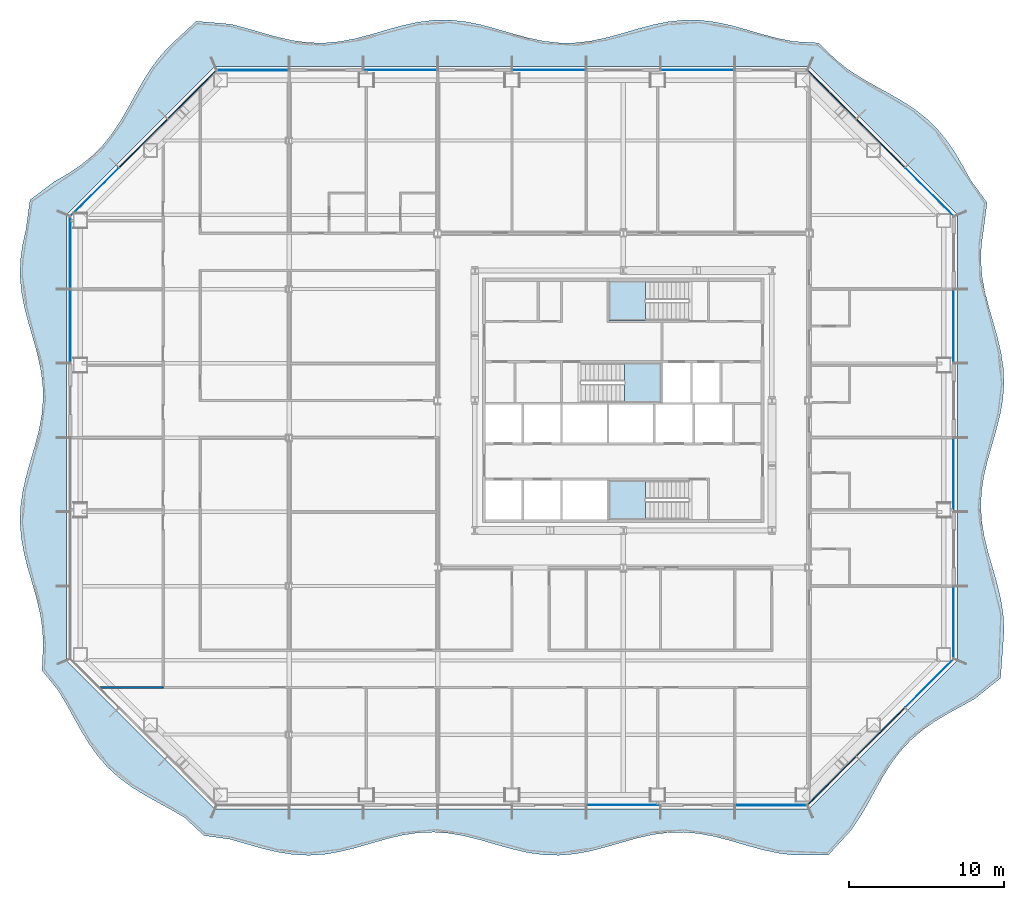
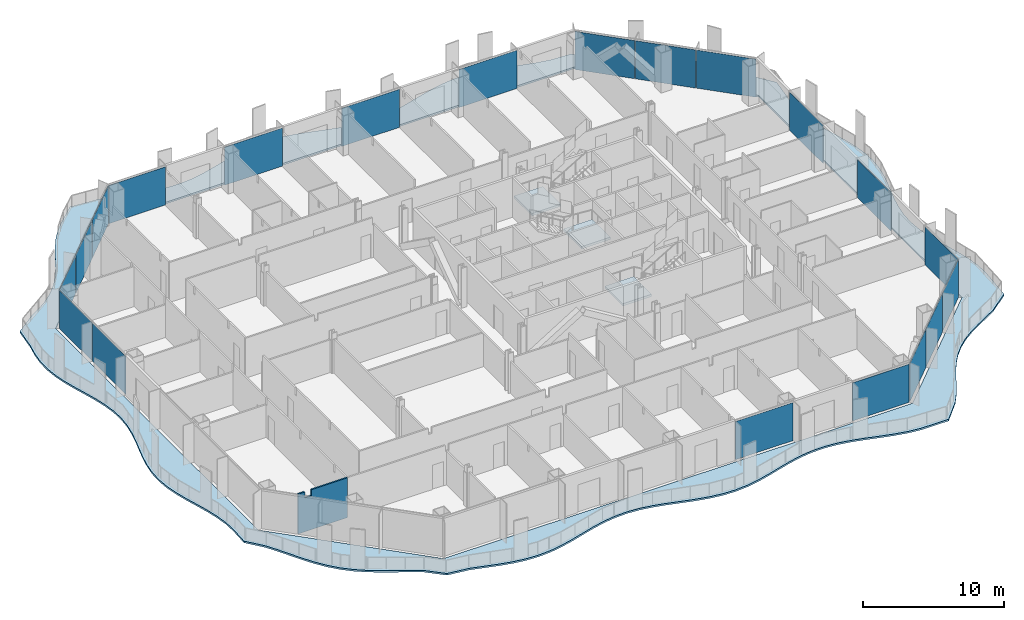
# One storey, part 5 of 21: 20 plates, 4 slabs, 1 wall, 10 elements without a shape of their own.
"""IFC4 building model written with IfcOpenShell, lengths in metres."""

import ifcopenshell
import ifcopenshell.guid

model = None  # the IFC model being written
_history = None  # IfcOwnerHistory: only IFC2X3 demands one
_inside = {}  # id of a spatial element -> (the spatial element, [elements in it])
_under = {}  # id of a project, library or spatial element -> (it, [spatial elements below it])
_declared = {}  # id of a project -> (the project, [libraries it declares])
_typed = {}  # id of a type object -> (the type object, [elements of that type])
_made_of = {}  # id of a material, layer set ... -> (it, [elements and type objects made of it])


def new_model(schema):
    """Start an empty IFC model of exactly this schema.

    Asked for "IFC4X3", IfcOpenShell would pick the latest addendum, in which some entities
    have other attributes; the version numbers below select the first issue.
    IFC2X3 requires an IfcOwnerHistory on every rooted entity: one is made here for all.
    """
    global model, _history
    if schema == "IFC4X3":
        model = ifcopenshell.file(schema_version=(4, 3, 0, 0))
    else:
        model = ifcopenshell.file(schema=schema)
    _inside.clear()
    _under.clear()
    _declared.clear()
    _typed.clear()
    _made_of.clear()
    _history = None
    if model.schema == "IFC2X3":
        org = make("IfcOrganization", Name="unknown")
        user = make(
            "IfcPersonAndOrganization",
            ThePerson=make("IfcPerson", FamilyName="unknown"),
            TheOrganization=org,
        )
        app = make(
            "IfcApplication",
            ApplicationDeveloper=org,
            Version="unknown",
            ApplicationFullName="unknown",
            ApplicationIdentifier="unknown",
        )
        _history = make(
            "IfcOwnerHistory",
            OwningUser=user,
            OwningApplication=app,
            ChangeAction="ADDED",
            CreationDate=0,
        )
    return model


def make(cls, **values):
    """One entity of the class cls with the attributes given. An attribute that is None is left unset."""
    return model.create_entity(
        cls, **{name: value for name, value in values.items() if value is not None}
    )


def rooted(cls, **values):
    """An entity with a GlobalId (a new one), such as an element, a storey or a relation."""
    return make(cls, GlobalId=ifcopenshell.guid.new(), OwnerHistory=_history, **values)


def si_unit(unit_type, name, prefix=None):
    """IfcSIUnit, for example si_unit("LENGTHUNIT", "METRE", prefix="MILLI")."""
    return make("IfcSIUnit", UnitType=unit_type, Prefix=prefix, Name=name)


def assignment(units):
    """IfcUnitAssignment: the units of a project."""
    return None if units is None else make("IfcUnitAssignment", Units=units)


def point(xyz):
    """IfcCartesianPoint."""
    return None if xyz is None else make("IfcCartesianPoint", Coordinates=xyz)


def direction(xyz):
    """IfcDirection."""
    return None if xyz is None else make("IfcDirection", DirectionRatios=xyz)


def frame(location, z_axis=None, x_axis=None):
    """IfcAxis2Placement3D, a coordinate frame: its origin and axes. An axis left out is left unset."""
    return make(
        "IfcAxis2Placement3D",
        Location=point(location),
        Axis=direction(z_axis),
        RefDirection=direction(x_axis),
    )


def frame_2d(location, x_axis=None):
    """IfcAxis2Placement2D, a coordinate frame in the plane: its origin and x axis."""
    return make(
        "IfcAxis2Placement2D", Location=point(location), RefDirection=direction(x_axis)
    )


def origin():
    """The frame at (0, 0, 0) with its axes left unset."""
    return frame((0.0, 0.0, 0.0))


def origin_2d():
    """The frame at (0, 0) in the plane with its x axis left unset."""
    return frame_2d((0.0, 0.0))


def place(relative_to, where):
    """IfcLocalPlacement: puts the frame where relative to a parent placement (None: the world)."""
    return make(
        "IfcLocalPlacement", PlacementRelTo=relative_to, RelativePlacement=where
    )


def context(
    kind, dimensions, precision=None, world=None, true_north=None, identifier=None
):
    """IfcGeometricRepresentationContext, for example the 3D "Model" context."""
    return make(
        "IfcGeometricRepresentationContext",
        ContextIdentifier=identifier,
        ContextType=kind,
        CoordinateSpaceDimension=dimensions,
        Precision=precision,
        WorldCoordinateSystem=world,
        TrueNorth=true_north,
    )


def subcontext(parent, identifier, kind, view, scale=None):
    """IfcGeometricRepresentationSubContext, for example "Body" below "Model"."""
    return make(
        "IfcGeometricRepresentationSubContext",
        ContextIdentifier=identifier,
        ContextType=kind,
        ParentContext=parent,
        TargetScale=scale,
        TargetView=view,
    )


def project(units=None, contexts=None):
    """IfcProject with its units and contexts."""
    return rooted(
        "IfcProject",
        Name="project",
        RepresentationContexts=contexts,
        UnitsInContext=assignment(units),
    )


def spatial(cls, under=None, at=None, **own):
    """A site, building, storey or space (cls), placed at a placement, below another one or the project."""
    s = rooted(cls, ObjectPlacement=at, **own)
    if under is not None:
        _under.setdefault(under.id(), (under, []))[1].append(s)
    return s


def polyline(points):
    """IfcPolyline through the points."""
    return make("IfcPolyline", Points=[point(p) for p in points])


def profile(cls, at=None, kind="AREA", **sizes):
    """A parametric profile (cls). Its sizes go by their IFC names, for example OverallWidth=200.0."""
    return make(cls, ProfileType=kind, Position=at, **sizes)


def rectangle(**sizes):
    """IfcRectangleProfileDef."""
    return profile("IfcRectangleProfileDef", **sizes)


def outline(outer, holes=None, kind="AREA"):
    """IfcArbitraryClosedProfileDef: a profile drawn as a closed curve; with holes, ...WithVoids."""
    if holes is None:
        return make("IfcArbitraryClosedProfileDef", ProfileType=kind, OuterCurve=outer)
    return make(
        "IfcArbitraryProfileDefWithVoids",
        ProfileType=kind,
        OuterCurve=outer,
        InnerCurves=holes,
    )


def extrude(swept, where, along, depth):
    """IfcExtrudedAreaSolid: the profile swept, set in the frame where, extruded along a direction by depth."""
    return make(
        "IfcExtrudedAreaSolid",
        SweptArea=swept,
        Position=where,
        ExtrudedDirection=direction(along),
        Depth=depth,
    )


def shape(context_of_items, identifier, shape_type, items):
    """IfcShapeRepresentation: the items that make up one representation, for example the "Body"."""
    return make(
        "IfcShapeRepresentation",
        ContextOfItems=context_of_items,
        RepresentationIdentifier=identifier,
        RepresentationType=shape_type,
        Items=items,
    )


def material(Name=None, Category=None):
    """IfcMaterial."""
    return make("IfcMaterial", Name=Name, Category=Category)


def layer(
    of_material, thickness, ventilated=None, Name=None, Category=None, Priority=None
):
    """IfcMaterialLayer: one layer of a wall or slab, of a material (None: an air gap)."""
    return make(
        "IfcMaterialLayer",
        Material=of_material,
        LayerThickness=thickness,
        IsVentilated=ventilated,
        Name=Name,
        Category=Category,
        Priority=Priority,
    )


def layer_set(layers, Name=None):
    """IfcMaterialLayerSet."""
    return make("IfcMaterialLayerSet", MaterialLayers=layers, LayerSetName=Name)


def made_of(thing, what):
    """Note that an element or type object is made of a material, layer set ...; save() writes the relation."""
    if what is not None:
        _made_of.setdefault(what.id(), (what, []))[1].append(thing)
    return thing


def type_object(cls, material=None, **own):
    """A type object (cls), such as IfcWallType, which elements share."""
    return made_of(rooted(cls, **own), material)


def element(
    cls,
    number,
    at=None,
    inside=None,
    cuts=None,
    type_object=None,
    material=None,
    context=None,
    identifier="Body",
    shape_type=None,
    held_by="IfcProductDefinitionShape",
    body=None,
    shapes=None,
    **own,
):
    """One element of the class cls, such as IfcWall. Its Tag is "e" and its number.

    at: its placement. inside: the storey or other place that contains it. cuts: it is an
    opening in that element (IfcRelVoidsElement). A single representation is given by context,
    identifier, shape_type and body (its items); several are given by shapes. held_by: the class
    of the entity that holds the representations. save() writes the other relations.
    """
    e = rooted(cls, Tag="e%d" % number, ObjectPlacement=at, **own)
    if body is not None:
        shapes = [shape(context, identifier, shape_type, body)]
    if shapes is not None:
        e.Representation = make(held_by, Representations=shapes)
    if inside is not None:
        _inside.setdefault(inside.id(), (inside, []))[1].append(e)
    if cuts is not None:
        rooted(
            "IfcRelVoidsElement", RelatingBuildingElement=cuts, RelatedOpeningElement=e
        )
    if type_object is not None:
        _typed.setdefault(type_object.id(), (type_object, []))[1].append(e)
    return made_of(e, material)


def aggregate(whole, parts):
    """IfcRelAggregates: a whole, such as a stair, and the parts it consists of."""
    return rooted("IfcRelAggregates", RelatingObject=whole, RelatedObjects=parts)


def save(model, path):
    """Write the relations noted so far, then the file.

    IfcRelAggregates (storeys below a building ...), IfcRelContainedInSpatialStructure (elements
    in a storey), IfcRelDefinesByType, IfcRelAssociatesMaterial and IfcRelDeclares: one each for
    every whole, place, type object, material and project.
    """
    for whole, parts in _under.values():
        aggregate(whole, parts)
    for where, things in _inside.values():
        rooted(
            "IfcRelContainedInSpatialStructure",
            RelatedElements=things,
            RelatingStructure=where,
        )
    for kind, things in _typed.values():
        rooted("IfcRelDefinesByType", RelatedObjects=things, RelatingType=kind)
    for what, things in _made_of.values():
        rooted("IfcRelAssociatesMaterial", RelatedObjects=things, RelatingMaterial=what)
    for by, libraries in _declared.values():
        rooted("IfcRelDeclares", RelatingContext=by, RelatedDefinitions=libraries)
    model.write(path)


model = new_model("IFC4")

# Units and contexts
model_context = context("Model", 3, precision=1e-05, world=origin(), true_north=direction((0.0, 1.0)))
body_context = subcontext(model_context, "Body", "Model", "MODEL_VIEW")
ifc_project = project(units=[si_unit("LENGTHUNIT", "METRE"), si_unit("AREAUNIT", "SQUARE_METRE"), si_unit("VOLUMEUNIT", "CUBIC_METRE"), si_unit("PLANEANGLEUNIT", "RADIAN"), si_unit("MASSUNIT", "GRAM", prefix="KILO")], contexts=[model_context])

# Site, building, storey
site_placement = place(None, origin())
site = spatial("IfcSite", under=ifc_project, at=site_placement, CompositionType="ELEMENT")
building_placement = place(site_placement, origin())
building = spatial("IfcBuilding", under=site, at=building_placement, Name="Cairn Pilgrim Tower", CompositionType="ELEMENT")
storey_placement = place(building_placement, frame((0.0, 0.0, 69.0)))
storey = spatial("IfcBuildingStorey", under=building, at=storey_placement, Name="L15", CompositionType="ELEMENT", Elevation=69.0)

# Slab
ifc_material_1 = material(Name="Concrete C35/45", Category="concrete")
ifc_layer_1 = layer(ifc_material_1, 0.14990234375)
ifc_layer_set_1 = layer_set([ifc_layer_1], Name="BALCONY SLAB 150 CONCRETE C35/45")
slab_type_1 = type_object("IfcSlabType", Name="BALCONY SLAB 150 CONCRETE C35/45", PredefinedType="FLOOR", material=ifc_layer_set_1)
slab_1_placement = place(storey_placement, frame((0.0, 0.0, -0.14990234375)))
element("IfcSlab", 1, at=slab_1_placement, inside=storey, type_object=slab_type_1, Name="Balcony slab BS-1", PredefinedType="FLOOR", context=body_context, shape_type="SweptSolid", body=[
    extrude(outline(polyline([(-21.142578125, -24.571044921875), (-19.912353515625, -25.7197265625), (-18.189453125, -25.9658203125), (-17.178955078125, -26.256103515625), (-16.16845703125, -26.545654296875), (-15.157958984375, -26.7890625), (-14.1474609375, -26.94873046875), (-13.136962890625, -26.999755859375), (-12.126220703125, -26.934326171875), (-11.11572265625, -26.762451171875), (-10.105224609375, -26.510986328125), (-9.0947265625, -26.218994140625), (-8.084228515625, -25.931884765625), (-7.07373046875, -25.694091796875), (-6.063232421875, -25.542724609375), (-5.052734375, -25.501220703125), (-4.0419921875, -25.576171875), (-3.031494140625, -25.755859375), (-2.02099609375, -26.012451171875), (-1.010498046875, -26.3056640625), (0.0, -26.590576171875), (1.010498046875, -26.822265625), (2.02099609375, -26.965087890625), (3.031494140625, -26.996826171875), (4.0419921875, -26.91259765625), (5.052734375, -26.72509765625), (6.063232421875, -26.464111328125), (7.07373046875, -26.16943359375), (8.084228515625, -25.8876953125), (9.0947265625, -25.661865234375), (10.105224609375, -25.52783203125), (11.11572265625, -25.505859375), (12.126220703125, -25.599365234375), (13.136962890625, -25.794189453125), (14.1474609375, -26.059814453125), (15.157958984375, -26.35498046875), (16.16845703125, -26.634033203125), (17.178955078125, -26.85302734375), (18.189453125, -26.978515625), (20.438720703125, -26.99072265625), (21.93212890625, -25.360595703125), (22.484130859375, -24.54150390625), (22.990234375, -23.676025390625), (23.475830078125, -22.7900390625), (23.9697265625, -21.91259765625), (24.49951171875, -21.071044921875), (25.08740234375, -20.287353515625), (25.747314453125, -19.575927734375), (26.483154296875, -18.9404296875), (27.287841796875, -18.37353515625), (28.143798828125, -17.858154296875), (29.02734375, -17.3701171875), (29.909423828125, -16.880859375), (31.575439453125, -15.549560546875), (31.739501953125, -13.406982421875), (31.7998046875, -12.413818359375), (31.747802734375, -11.420654296875), (31.5908203125, -10.427490234375), (31.352783203125, -9.4345703125), (31.069091796875, -8.44140625), (30.78271484375, -7.4482421875), (30.536376953125, -6.455078125), (30.3671875, -5.462158203125), (30.300537109375, -4.468994140625), (30.346435546875, -3.475830078125), (30.498046875, -2.482666015625), (30.732421875, -1.48974609375), (31.0146484375, -0.49658203125), (31.302001953125, 0.49658203125), (31.5517578125, 1.48974609375), (31.72607421875, 2.482666015625), (31.798828125, 3.475830078125), (31.759033203125, 4.468994140625), (31.61279296875, 5.462158203125), (31.382080078125, 6.455078125), (31.1015625, 7.4482421875), (30.813232421875, 8.44140625), (30.560546875, 9.4345703125), (30.381103515625, 10.427490234375), (30.302490234375, 11.420654296875), (30.3359375, 12.413818359375), (30.4765625, 13.406982421875), (30.703369140625, 15.1884765625), (29.652587890625, 16.6240234375), (29.166748046875, 17.509521484375), (28.659912109375, 18.3740234375), (28.106201171875, 19.19189453125), (27.487060546875, 19.944091796875), (26.792724609375, 20.62109375), (26.0244140625, 21.224365234375), (25.19384765625, 21.765380859375), (24.322265625, 22.26513671875), (23.435791015625, 22.75), (22.563232421875, 23.2490234375), (21.731689453125, 23.788818359375), (20.9619140625, 24.390380859375), (19.82421875, 25.507080078125), (18.189453125, 25.60498046875), (17.178955078125, 25.802978515625), (16.16845703125, 26.070556640625), (15.157958984375, 26.365966796875), (14.1474609375, 26.643310546875), (13.136962890625, 26.859619140625), (12.126220703125, 26.98095703125), (11.11572265625, 26.989013671875), (10.105224609375, 26.882080078125), (9.0947265625, 26.6767578125), (8.084228515625, 26.4052734375), (7.07373046875, 26.109619140625), (6.063232421875, 25.8359375), (5.052734375, 25.62646484375), (4.0419921875, 25.513916015625), (3.031494140625, 25.515625), (2.02099609375, 25.631591796875), (1.010498046875, 25.84375), (0.0, 26.118896484375), (-1.010498046875, 26.41455078125), (-2.02099609375, 26.6845703125), (-3.031494140625, 26.886962890625), (-4.0419921875, 26.990478515625), (-5.052734375, 26.97900390625), (-6.063232421875, 26.85400390625), (-7.07373046875, 26.63525390625), (-8.084228515625, 26.3564453125), (-9.0947265625, 26.061279296875), (-10.105224609375, 25.79541015625), (-11.11572265625, 25.60009765625), (-12.126220703125, 25.505859375), (-13.136962890625, 25.52734375), (-14.1474609375, 25.6611328125), (-15.157958984375, 25.88623046875), (-16.16845703125, 26.16796875), (-17.178955078125, 26.462646484375), (-18.189453125, 26.72412109375), (-20.406005859375, 26.911865234375), (-22.00390625, 25.432373046875), (-22.67333984375, 24.73046875), (-23.26953125, 23.955078125), (-23.80517578125, 23.11962890625), (-24.30224609375, 22.2451171875), (-24.787353515625, 21.358642578125), (-25.289306640625, 20.4892578125), (-25.83447265625, 19.6630859375), (-26.443115234375, 18.900146484375), (-27.1259765625, 18.211669921875), (-27.8837890625, 17.59814453125), (-28.7060546875, 17.049072265625), (-29.5732421875, 16.544677734375), (-31.146728515625, 15.3720703125), (-31.422119140625, 13.406982421875), (-31.641845703125, 12.413818359375), (-31.7724609375, 11.420654296875), (-31.794677734375, 10.427490234375), (-31.705078125, 9.4345703125), (-31.51708984375, 8.44140625), (-31.259033203125, 7.4482421875), (-30.969482421875, 6.455078125), (-30.69189453125, 5.462158203125), (-30.46826171875, 4.468994140625), (-30.33203125, 3.475830078125), (-30.303466796875, 2.482666015625), (-30.38720703125, 1.48974609375), (-30.5703125, 0.49658203125), (-30.825439453125, -0.49658203125), (-31.114501953125, -1.48974609375), (-31.3935546875, -2.482666015625), (-31.621337890625, -3.475830078125), (-31.76318359375, -4.468994140625), (-31.7978515625, -5.462158203125), (-31.72021484375, -6.455078125), (-31.5419921875, -7.4482421875), (-31.2900390625, -8.44140625), (-31.001708984375, -9.4345703125), (-30.720947265625, -10.427490234375), (-30.4892578125, -11.420654296875), (-30.342041015625, -12.413818359375), (-30.301025390625, -13.406982421875), (-30.37255859375, -15.05126953125), (-29.34521484375, -16.316650390625), (-28.829833984375, -17.1728515625), (-28.341796875, -18.05615234375), (-27.852783203125, -18.9384765625), (-27.334228515625, -19.791259765625), (-26.762451171875, -20.591064453125), (-26.12109375, -21.321044921875), (-25.40380859375, -21.97509765625), (-24.614990234375, -22.557861328125), (-23.76953125, -23.083984375), (-22.890380859375, -23.576171875), (-22.005126953125, -24.062255859375), (-21.142578125, -24.571044921875)]), holes=[polyline([(19.199951171875, -24.0), (-19.199951171875, -24.0), (-28.800048828125, -14.39990234375), (-28.800048828125, 14.39990234375), (-19.199951171875, 24.0), (19.199951171875, 24.0), (28.800048828125, 14.39990234375), (28.800048828125, -14.39990234375), (19.199951171875, -24.0)])]), origin(), (0.0, 0.0, 1.0), 0.14990234375),
])

# Curtain wall, plate
ifc_material_2 = material(Name="Aluminium alloy 6063-T6 bronze anodised with Bronze tinted laminated low-E glass 8+16+8.8", Category="aluminium")
curtain_wall_type_1 = type_object("IfcCurtainWallType", Name="CHAMFER CORNER CURTAIN WALL", PredefinedType="NOTDEFINED", material=ifc_material_2)
curtain_wall_1_placement = place(storey_placement, origin())
curtain_wall_1 = element("IfcCurtainWall", 2, at=curtain_wall_1_placement, inside=storey, type_object=curtain_wall_type_1, Name="Chamfer Corner Curtain Wall SE", PredefinedType="NOTDEFINED")
ifc_material_3 = material(Name="Bronze anodised aluminium spandrel panel with mineral wool insulation", Category="aluminium")
ifc_layer_2 = layer(ifc_material_3, 0.06005859375)
ifc_layer_set_2 = layer_set([ifc_layer_2], Name="SPANDREL PANEL 4386x3300")
plate_type_1 = type_object("IfcPlateType", Name="SPANDREL PANEL 4386x3300", PredefinedType="CURTAIN_PANEL", material=ifc_layer_set_2)
plate_1_placement = place(storey_placement, frame((20.675537109375, -22.1708984375, 0.0), z_axis=(0.0, 0.0, 1.0), x_axis=(0.707106781187, 0.707106781187, 0.0)))
plate_1 = element("IfcPlate", 3, at=plate_1_placement, type_object=plate_type_1, Name="Spandrel Panel SE1-1", PredefinedType="CURTAIN_PANEL", context=body_context, shape_type="SweptSolid", body=[
    extrude(rectangle(XDim=4.386474609375, YDim=0.06005859375, at=origin_2d()), origin(), (0.0, 0.0, 1.0), 3.300048828125),
])

curtain_wall_2_placement = place(storey_placement, origin())
curtain_wall_2 = element("IfcCurtainWall", 4, at=curtain_wall_2_placement, inside=storey, type_object=curtain_wall_type_1, Name="Chamfer Corner Curtain Wall NE", PredefinedType="NOTDEFINED")
plate_2_placement = place(storey_placement, frame((20.675537109375, 22.1708984375, 0.0), z_axis=(0.0, 0.0, 1.0), x_axis=(-0.707106781187, 0.707106781187, 0.0)))
plate_2 = element("IfcPlate", 5, at=plate_2_placement, type_object=plate_type_1, Name="Spandrel Panel NE3-1", PredefinedType="CURTAIN_PANEL", context=body_context, shape_type="SweptSolid", body=[
    extrude(rectangle(XDim=4.386474609375, YDim=0.06005859375, at=origin_2d()), origin(), (0.0, 0.0, 1.0), 3.300048828125),
])

curtain_wall_3_placement = place(storey_placement, origin())
curtain_wall_3 = element("IfcCurtainWall", 6, at=curtain_wall_3_placement, inside=storey, type_object=curtain_wall_type_1, Name="Chamfer Corner Curtain Wall NW", PredefinedType="NOTDEFINED")
plate_3_placement = place(storey_placement, frame((-20.675537109375, 22.1708984375, 0.0), z_axis=(0.0, 0.0, 1.0), x_axis=(-0.707106781187, -0.707106781187, 0.0)))
plate_3 = element("IfcPlate", 7, at=plate_3_placement, type_object=plate_type_1, Name="Spandrel Panel NW1-1", PredefinedType="CURTAIN_PANEL", context=body_context, shape_type="SweptSolid", body=[
    extrude(rectangle(XDim=4.386474609375, YDim=0.06005859375, at=origin_2d()), origin(), (0.0, 0.0, 1.0), 3.300048828125),
])

# Plate
ifc_layer_3 = layer(ifc_material_3, 0.06005859375)
ifc_layer_set_3 = layer_set([ifc_layer_3], Name="SPANDREL PANEL 4396x3300")
plate_type_2 = type_object("IfcPlateType", Name="SPANDREL PANEL 4396x3300", PredefinedType="CURTAIN_PANEL", material=ifc_layer_set_3)
plate_4_placement = place(storey_placement, frame((23.8232421875, -19.023193359375, 0.0), z_axis=(0.0, 0.0, 1.0), x_axis=(0.707106781187, 0.707106781187, 0.0)))
plate_4 = element("IfcPlate", 8, at=plate_4_placement, type_object=plate_type_2, Name="Spandrel Panel SE2-1", PredefinedType="CURTAIN_PANEL", context=body_context, shape_type="SweptSolid", body=[
    extrude(rectangle(XDim=4.396484375, YDim=0.06005859375, at=origin_2d()), origin(), (0.0, 0.0, 1.0), 3.300048828125),
])

plate_5_placement = place(storey_placement, frame((23.8232421875, 19.023193359375, 0.0), z_axis=(0.0, 0.0, 1.0), x_axis=(-0.707106781187, 0.707106781187, 0.0)))
plate_5 = element("IfcPlate", 9, at=plate_5_placement, type_object=plate_type_2, Name="Spandrel Panel NE2-1", PredefinedType="CURTAIN_PANEL", context=body_context, shape_type="SweptSolid", body=[
    extrude(rectangle(XDim=4.396484375, YDim=0.06005859375, at=origin_2d()), origin(), (0.0, 0.0, 1.0), 3.300048828125),
])

plate_6_placement = place(storey_placement, frame((-23.8232421875, 19.023193359375, 0.0), z_axis=(0.0, 0.0, 1.0), x_axis=(-0.707106781187, -0.707106781187, 0.0)))
plate_6 = element("IfcPlate", 10, at=plate_6_placement, type_object=plate_type_2, Name="Spandrel Panel NW2-1", PredefinedType="CURTAIN_PANEL", context=body_context, shape_type="SweptSolid", body=[
    extrude(rectangle(XDim=4.396484375, YDim=0.06005859375, at=origin_2d()), origin(), (0.0, 0.0, 1.0), 3.300048828125),
])

# Curtain wall, plate
curtain_wall_type_2 = type_object("IfcCurtainWallType", Name="TOWER STICK CURTAIN WALL NS", PredefinedType="NOTDEFINED", material=ifc_material_2)
curtain_wall_4_placement = place(storey_placement, origin())
curtain_wall_4 = element("IfcCurtainWall", 11, at=curtain_wall_4_placement, inside=storey, type_object=curtain_wall_type_2, Name="Tower Stick Curtain Wall Ns S", PredefinedType="NOTDEFINED")
ifc_layer_4 = layer(ifc_material_3, 0.06005859375)
ifc_layer_set_4 = layer_set([ifc_layer_4], Name="SPANDREL PANEL 4626x3300")
plate_type_3 = type_object("IfcPlateType", Name="SPANDREL PANEL 4626x3300", PredefinedType="CURTAIN_PANEL", material=ifc_layer_set_4)
plate_7_placement = place(storey_placement, frame((16.7431640625, -23.75, 0.0), z_axis=(0.0, 0.0, 1.0), x_axis=(1.0, 0.0, 0.0)))
plate_7 = element("IfcPlate", 12, at=plate_7_placement, type_object=plate_type_3, Name="Spandrel Panel S8-1", PredefinedType="CURTAIN_PANEL", context=body_context, shape_type="SweptSolid", body=[
    extrude(rectangle(XDim=4.62646484375, YDim=0.06005859375, at=origin_2d()), origin(), (0.0, 0.0, 1.0), 3.300048828125),
])

curtain_wall_5_placement = place(storey_placement, origin())
curtain_wall_5 = element("IfcCurtainWall", 13, at=curtain_wall_5_placement, inside=storey, type_object=curtain_wall_type_2, Name="Tower Stick Curtain Wall Ns N", PredefinedType="NOTDEFINED")
plate_8_placement = place(storey_placement, frame((-16.7431640625, 23.75, 0.0), z_axis=(0.0, 0.0, 1.0), x_axis=(-1.0, 0.0, 0.0)))
plate_8 = element("IfcPlate", 14, at=plate_8_placement, type_object=plate_type_3, Name="Spandrel Panel N8-1", PredefinedType="CURTAIN_PANEL", context=body_context, shape_type="SweptSolid", body=[
    extrude(rectangle(XDim=4.62646484375, YDim=0.06005859375, at=origin_2d()), origin(), (0.0, 0.0, 1.0), 3.300048828125),
])

# Stair, slab
ifc_material_4 = material(Name="Concrete C32/40", Category="concrete")
stair_type = type_object("IfcStairType", Name="EXIT STAIR 1200", PredefinedType="HALF_TURN_STAIR", material=ifc_material_4)
stair_1_placement = place(storey_placement, origin())
stair_1 = element("IfcStair", 15, at=stair_1_placement, inside=storey, type_object=stair_type, Name="L15 Exit Stair A", PredefinedType="HALF_TURN_STAIR")
ifc_layer_5 = layer(ifc_material_4, 0.199951171875)
ifc_layer_set_5 = layer_set([ifc_layer_5], Name="STAIR LANDING 200")
slab_type_2 = type_object("IfcSlabType", Name="STAIR LANDING 200", PredefinedType="LANDING", material=ifc_layer_set_5)
slab_2_placement = place(storey_placement, frame((0.0, 0.0, 1.60009765625)))
slab_2 = element("IfcSlab", 16, at=slab_2_placement, type_object=slab_type_2, Name="ST-A landing 1", PredefinedType="LANDING", context=body_context, shape_type="SweptSolid", body=[
    extrude(outline(polyline([(8.625, -2.77490234375), (6.27490234375, -2.77490234375), (6.27490234375, -5.300048828125), (8.625, -5.300048828125), (8.625, -2.77490234375)])), origin(), (0.0, 0.0, 1.0), 0.199951171875),
])
aggregate(stair_1, [slab_2])

stair_2_placement = place(storey_placement, origin())
stair_2 = element("IfcStair", 17, at=stair_2_placement, inside=storey, type_object=stair_type, Name="L15 Exit Stair B", PredefinedType="HALF_TURN_STAIR")
slab_3_placement = place(storey_placement, frame((0.0, 0.0, 1.60009765625)))
slab_3 = element("IfcSlab", 18, at=slab_3_placement, type_object=slab_type_2, Name="ST-B landing 1", PredefinedType="LANDING", context=body_context, shape_type="SweptSolid", body=[
    extrude(outline(polyline([(7.27490234375, 2.27490234375), (9.625, 2.27490234375), (9.625, 4.824951171875), (7.27490234375, 4.824951171875), (7.27490234375, 2.27490234375)])), origin(), (0.0, 0.0, 1.0), 0.199951171875),
])
aggregate(stair_2, [slab_3])

stair_3_placement = place(storey_placement, origin())
stair_3 = element("IfcStair", 19, at=stair_3_placement, inside=storey, type_object=stair_type, Name="L15 Exit Stair C", PredefinedType="HALF_TURN_STAIR")
slab_4_placement = place(storey_placement, frame((0.0, 0.0, 1.60009765625)))
slab_4 = element("IfcSlab", 20, at=slab_4_placement, type_object=slab_type_2, Name="ST-C landing 1", PredefinedType="LANDING", context=body_context, shape_type="SweptSolid", body=[
    extrude(outline(polyline([(8.625, 10.10009765625), (6.27490234375, 10.10009765625), (6.27490234375, 7.574951171875), (8.625, 7.574951171875), (8.625, 10.10009765625)])), origin(), (0.0, 0.0, 1.0), 0.199951171875),
])
aggregate(stair_3, [slab_4])

# Plate
ifc_material_5 = material(Name="Bronze tinted laminated low-E glass 8+16+8.8", Category="glass")
ifc_layer_6 = layer(ifc_material_5, 0.033935546875)
ifc_layer_set_6 = layer_set([ifc_layer_6], Name="VISION GLAZING 4386x3300")
plate_type_4 = type_object("IfcPlateType", Name="VISION GLAZING 4386x3300", PredefinedType="CURTAIN_PANEL", material=ifc_layer_set_6)
plate_9_placement = place(storey_placement, frame((26.970947265625, -15.87548828125, 0.0), z_axis=(0.0, 0.0, 1.0), x_axis=(0.707106781187, 0.707106781187, 0.0)))
plate_9 = element("IfcPlate", 21, at=plate_9_placement, type_object=plate_type_4, Name="Vision Glazing SE3-1", PredefinedType="CURTAIN_PANEL", context=body_context, shape_type="SweptSolid", body=[
    extrude(rectangle(XDim=4.386474609375, YDim=0.033935546875, at=origin_2d()), origin(), (0.0, 0.0, 1.0), 3.300048828125),
])

aggregate(curtain_wall_1, [plate_1, plate_4, plate_9])

plate_10_placement = place(storey_placement, frame((26.970947265625, 15.87548828125, 0.0), z_axis=(0.0, 0.0, 1.0), x_axis=(-0.707106781187, 0.707106781187, 0.0)))
plate_10 = element("IfcPlate", 22, at=plate_10_placement, type_object=plate_type_4, Name="Vision Glazing NE1-1", PredefinedType="CURTAIN_PANEL", context=body_context, shape_type="SweptSolid", body=[
    extrude(rectangle(XDim=4.386474609375, YDim=0.033935546875, at=origin_2d()), origin(), (0.0, 0.0, 1.0), 3.300048828125),
])

aggregate(curtain_wall_2, [plate_10, plate_5, plate_2])

plate_11_placement = place(storey_placement, frame((-26.970947265625, 15.87548828125, 0.0), z_axis=(0.0, 0.0, 1.0), x_axis=(-0.707106781187, -0.707106781187, 0.0)))
plate_11 = element("IfcPlate", 23, at=plate_11_placement, type_object=plate_type_4, Name="Vision Glazing NW3-1", PredefinedType="CURTAIN_PANEL", context=body_context, shape_type="SweptSolid", body=[
    extrude(rectangle(XDim=4.386474609375, YDim=0.033935546875, at=origin_2d()), origin(), (0.0, 0.0, 1.0), 3.300048828125),
])

aggregate(curtain_wall_3, [plate_3, plate_6, plate_11])

# Curtain wall, plate
curtain_wall_type_3 = type_object("IfcCurtainWallType", Name="TOWER STICK CURTAIN WALL EW", PredefinedType="NOTDEFINED", material=ifc_material_2)
curtain_wall_6_placement = place(storey_placement, origin())
curtain_wall_6 = element("IfcCurtainWall", 24, at=curtain_wall_6_placement, inside=storey, type_object=curtain_wall_type_3, Name="Tower Stick Curtain Wall Ew E", PredefinedType="NOTDEFINED")
ifc_layer_7 = layer(ifc_material_5, 0.033935546875)
ifc_layer_set_7 = layer_set([ifc_layer_7], Name="VISION GLAZING 4626x3300")
plate_type_5 = type_object("IfcPlateType", Name="VISION GLAZING 4626x3300", PredefinedType="CURTAIN_PANEL", material=ifc_layer_set_7)
plate_12_placement = place(storey_placement, frame((28.550048828125, -11.943115234375, 0.0), z_axis=(0.0, 0.0, 1.0), x_axis=(0.0, 1.0, 0.0)))
plate_12 = element("IfcPlate", 25, at=plate_12_placement, type_object=plate_type_5, Name="Vision Glazing E1-1", PredefinedType="CURTAIN_PANEL", context=body_context, shape_type="SweptSolid", body=[
    extrude(rectangle(XDim=4.62646484375, YDim=0.033935546875, at=origin_2d()), origin(), (0.0, 0.0, 1.0), 3.300048828125),
])

curtain_wall_7_placement = place(storey_placement, origin())
curtain_wall_7 = element("IfcCurtainWall", 26, at=curtain_wall_7_placement, inside=storey, type_object=curtain_wall_type_3, Name="Tower Stick Curtain Wall Ew W", PredefinedType="NOTDEFINED")
plate_13_placement = place(storey_placement, frame((-28.550048828125, 11.943115234375, 0.0), z_axis=(0.0, 0.0, 1.0), x_axis=(0.0, -1.0, 0.0)))
plate_13 = element("IfcPlate", 27, at=plate_13_placement, type_object=plate_type_5, Name="Vision Glazing W1-1", PredefinedType="CURTAIN_PANEL", context=body_context, shape_type="SweptSolid", body=[
    extrude(rectangle(XDim=4.62646484375, YDim=0.033935546875, at=origin_2d()), origin(), (0.0, 0.0, 1.0), 3.300048828125),
])

# Plate
ifc_layer_8 = layer(ifc_material_5, 0.033935546875)
ifc_layer_set_8 = layer_set([ifc_layer_8], Name="VISION GLAZING 4740x3300")
plate_type_6 = type_object("IfcPlateType", Name="VISION GLAZING 4740x3300", PredefinedType="CURTAIN_PANEL", material=ifc_layer_set_8)
plate_14_placement = place(storey_placement, frame((7.199951171875, -23.75, 0.0), z_axis=(0.0, 0.0, 1.0), x_axis=(1.0, 0.0, 0.0)))
plate_14 = element("IfcPlate", 28, at=plate_14_placement, type_object=plate_type_6, Name="Vision Glazing S6-1", PredefinedType="CURTAIN_PANEL", context=body_context, shape_type="SweptSolid", body=[
    extrude(rectangle(XDim=4.739990234375, YDim=0.033935546875, at=origin_2d()), origin(), (0.0, 0.0, 1.0), 3.300048828125),
])

aggregate(curtain_wall_4, [plate_14, plate_7])

plate_15_placement = place(storey_placement, frame((28.550048828125, -2.39990234375, 0.0), z_axis=(0.0, 0.0, 1.0), x_axis=(0.0, 1.0, 0.0)))
plate_15 = element("IfcPlate", 29, at=plate_15_placement, type_object=plate_type_6, Name="Vision Glazing E3-1", PredefinedType="CURTAIN_PANEL", context=body_context, shape_type="SweptSolid", body=[
    extrude(rectangle(XDim=4.739990234375, YDim=0.033935546875, at=origin_2d()), origin(), (0.0, 0.0, 1.0), 3.300048828125),
])

plate_16_placement = place(storey_placement, frame((28.550048828125, 7.199951171875, 0.0), z_axis=(0.0, 0.0, 1.0), x_axis=(0.0, 1.0, 0.0)))
plate_16 = element("IfcPlate", 30, at=plate_16_placement, type_object=plate_type_6, Name="Vision Glazing E5-1", PredefinedType="CURTAIN_PANEL", context=body_context, shape_type="SweptSolid", body=[
    extrude(rectangle(XDim=4.739990234375, YDim=0.033935546875, at=origin_2d()), origin(), (0.0, 0.0, 1.0), 3.300048828125),
])

aggregate(curtain_wall_6, [plate_12, plate_15, plate_16])

plate_17_placement = place(storey_placement, frame((12.0, 23.75, 0.0), z_axis=(0.0, 0.0, 1.0), x_axis=(-1.0, 0.0, 0.0)))
plate_17 = element("IfcPlate", 31, at=plate_17_placement, type_object=plate_type_6, Name="Vision Glazing N2-1", PredefinedType="CURTAIN_PANEL", context=body_context, shape_type="SweptSolid", body=[
    extrude(rectangle(XDim=4.739990234375, YDim=0.033935546875, at=origin_2d()), origin(), (0.0, 0.0, 1.0), 3.300048828125),
])

plate_18_placement = place(storey_placement, frame((2.39990234375, 23.75, 0.0), z_axis=(0.0, 0.0, 1.0), x_axis=(-1.0, 0.0, 0.0)))
plate_18 = element("IfcPlate", 32, at=plate_18_placement, type_object=plate_type_6, Name="Vision Glazing N4-1", PredefinedType="CURTAIN_PANEL", context=body_context, shape_type="SweptSolid", body=[
    extrude(rectangle(XDim=4.739990234375, YDim=0.033935546875, at=origin_2d()), origin(), (0.0, 0.0, 1.0), 3.300048828125),
])

plate_19_placement = place(storey_placement, frame((-7.199951171875, 23.75, 0.0), z_axis=(0.0, 0.0, 1.0), x_axis=(-1.0, 0.0, 0.0)))
plate_19 = element("IfcPlate", 33, at=plate_19_placement, type_object=plate_type_6, Name="Vision Glazing N6-1", PredefinedType="CURTAIN_PANEL", context=body_context, shape_type="SweptSolid", body=[
    extrude(rectangle(XDim=4.739990234375, YDim=0.033935546875, at=origin_2d()), origin(), (0.0, 0.0, 1.0), 3.300048828125),
])

aggregate(curtain_wall_5, [plate_17, plate_18, plate_19, plate_8])

plate_20_placement = place(storey_placement, frame((-28.550048828125, 7.199951171875, 0.0), z_axis=(0.0, 0.0, 1.0), x_axis=(0.0, -1.0, 0.0)))
plate_20 = element("IfcPlate", 34, at=plate_20_placement, type_object=plate_type_6, Name="Vision Glazing W2-1", PredefinedType="CURTAIN_PANEL", context=body_context, shape_type="SweptSolid", body=[
    extrude(rectangle(XDim=4.739990234375, YDim=0.033935546875, at=origin_2d()), origin(), (0.0, 0.0, 1.0), 3.300048828125),
])

aggregate(curtain_wall_7, [plate_13, plate_20])

# Wall
ifc_material_6 = material(Name="Gypsum partition")
ifc_layer_9 = layer(ifc_material_6, 0.125)
ifc_layer_set_9 = layer_set([ifc_layer_9], Name="PARTITION 125 DRYWALL EI 60")
wall_type = type_object("IfcWallType", Name="PARTITION 125 DRYWALL EI 60", PredefinedType="PARTITIONING", material=ifc_layer_set_9)
wall_placement = place(storey_placement, frame((-26.60693359375, -16.14990234375, 0.0), z_axis=(0.0, 0.0, 1.0), x_axis=(1.0, 0.0, 0.0)))
element("IfcWall", 35, at=wall_placement, inside=storey, type_object=wall_type, Name="PARTITION W012", PredefinedType="PARTITIONING", context=body_context, shape_type="SweptSolid", body=[
    extrude(outline(polyline([(0.0, 0.0), (4.056884765625, 0.0), (4.056884765625, 3.449951171875), (1.1044921875, 3.449951171875), (1.102294921875, 2.929931640625), (0.55517578125, 2.929931640625), (0.552978515625, 3.449951171875), (0.0, 3.449951171875), (0.0, 0.0)])), frame((0.0, 0.0625, 0.0), z_axis=(0.0, -1.0, 0.0), x_axis=(1.0, 0.0, 0.0)), (0.0, 0.0, 1.0), 0.125),
])

save(model, "model.ifc")
